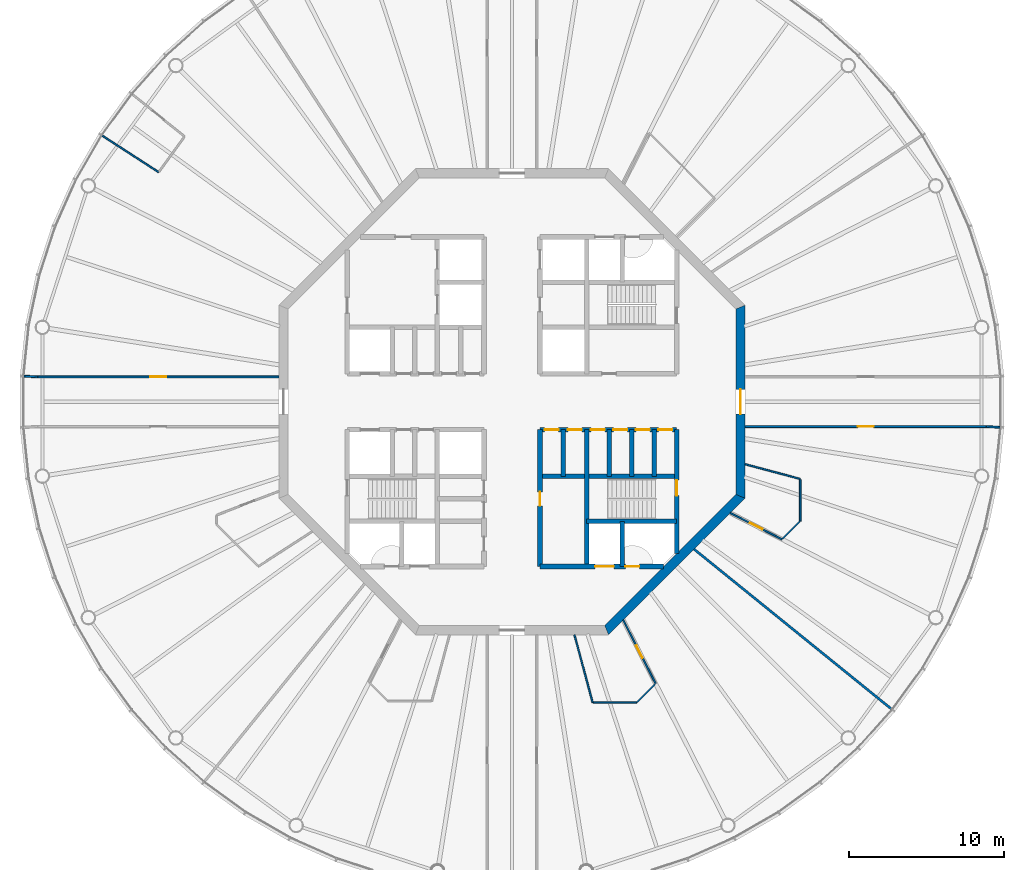
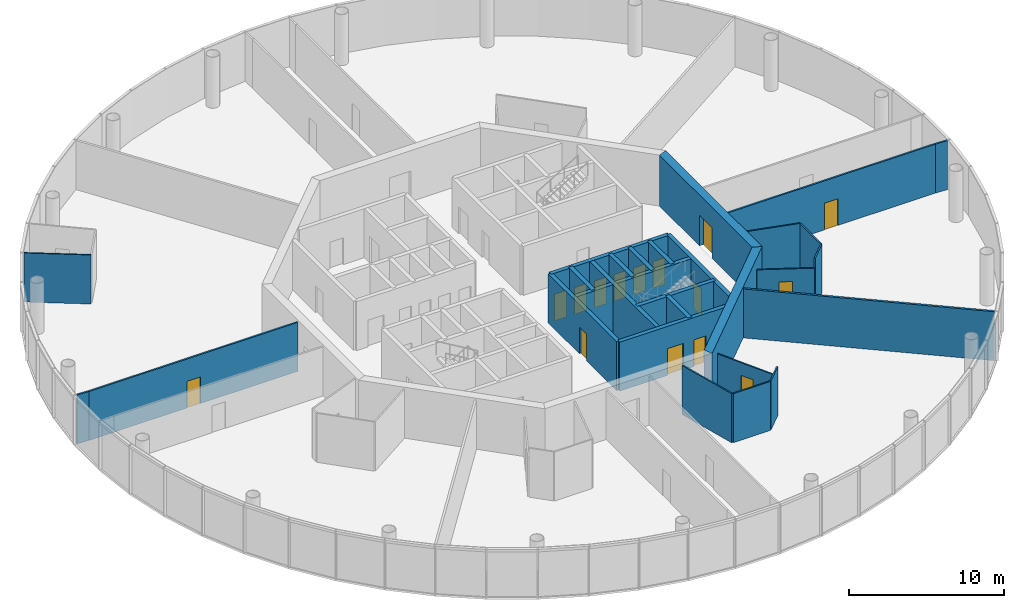
# One storey, part 4 of 13: 28 walls, 15 doors, 15 openings.
"""IFC4 building model written with IfcOpenShell, lengths in metres."""

from ifc_helpers import new_model, si_unit, direction, frame, frame_2d, origin, place, context, subcontext, project, spatial, polyline, rectangle, outline, extrude, material, layer, layer_set, type_object, element, fill, save


model = new_model("IFC4")

# Units and contexts
model_context = context("Model", 3, precision=1e-05, world=origin(), true_north=direction((0.0, 1.0)))
body_context = subcontext(model_context, "Body", "Model", "MODEL_VIEW")
ifc_project = project(units=[si_unit("LENGTHUNIT", "METRE"), si_unit("AREAUNIT", "SQUARE_METRE"), si_unit("VOLUMEUNIT", "CUBIC_METRE"), si_unit("PLANEANGLEUNIT", "RADIAN"), si_unit("MASSUNIT", "GRAM", prefix="KILO")], contexts=[model_context])

# Site, building, storey
site_placement = place(None, origin())
site = spatial("IfcSite", under=ifc_project, at=site_placement, CompositionType="ELEMENT")
building_placement = place(site_placement, origin())
building = spatial("IfcBuilding", under=site, at=building_placement, Name="Entoto Ring Tower", CompositionType="ELEMENT")
storey_placement = place(building_placement, frame((0.0, 0.0, 364.0)))
storey = spatial("IfcBuildingStorey", under=building, at=storey_placement, Name="L84", CompositionType="ELEMENT", Elevation=364.0)

# Wall, opening, door
ifc_material_1 = material(Name="Concrete C40/50", Category="concrete")
ifc_layer_1 = layer(ifc_material_1, 0.300048828125)
ifc_layer_set_1 = layer_set([ifc_layer_1], Name="Concrete C40/50")
wall_type_1 = type_object("IfcWallType", Name="Core enclosure wall 300 mm reinforced concrete", PredefinedType="SOLIDWALL", material=ifc_layer_set_1)
wall_1_placement = place(storey_placement, frame((100.60009765625, 70.2353515625, 0.0), z_axis=(0.0, 0.0, 1.0), x_axis=(0.0, 1.0, 0.0)))
wall_1 = element("IfcWall", 1, at=wall_1_placement, inside=storey, type_object=wall_type_1, Name="wall-L84-001", PredefinedType="SOLIDWALL", context=body_context, shape_type="SweptSolid", body=[
    extrude(rectangle(XDim=7.964599609375, YDim=0.300048828125, at=frame_2d((3.982421875, 0.0))), origin(), (0.0, 0.0, 1.0), 3.85009765625),
])
opening_1_placement = place(wall_1_placement, frame((3.714599609375, 0.0, 0.0)))
opening_1 = element("IfcOpeningElement", 2, at=opening_1_placement, cuts=wall_1, Name="Opening K-31", PredefinedType="OPENING", context=body_context, shape_type="SweptSolid", body=[
    extrude(rectangle(XDim=1.0, YDim=2.10009765625, at=frame_2d((0.5, 1.050048828125))), frame((0.0, 0.16015625, 0.0), z_axis=(0.0, -1.0, 0.0), x_axis=(1.0, 0.0, 0.0)), (0.0, 0.0, 1.0), 0.320068359375),
])
ifc_material_2 = material(Name="Steel door leaf, fire rated", Category="steel")
ifc_layer_2 = layer(ifc_material_2, 0.050048828125)
ifc_layer_set_2 = layer_set([ifc_layer_2], Name="Steel door leaf, fire rated")
door_type_1 = type_object("IfcDoorType", Name="Fire door FD60 1000 x 2100 single leaf", OperationType="NOTDEFINED", PredefinedType="DOOR", material=ifc_layer_set_2)
door_1_placement = place(opening_1_placement, origin())
door_1 = element("IfcDoor", 3, at=door_1_placement, inside=storey, type_object=door_type_1, Name="Door K-31", OperationType="SINGLE_SWING_RIGHT", OverallHeight=2.10009765625, OverallWidth=1.0, PredefinedType="DOOR", context=body_context, shape_type="SweptSolid", body=[
    extrude(rectangle(XDim=1.0, YDim=2.10009765625, at=frame_2d((0.5, 1.050048828125))), frame((0.0, 0.02490234375, 0.0), z_axis=(0.0, -1.0, 0.0), x_axis=(1.0, 0.0, 0.0)), (0.0, 0.0, 1.0), 0.050048828125),
])
fill(opening_1, door_1)

# Walls
for number, where, z_axis, x_axis, name in (
    (4, (99.14990234375, 75.199951171875, 0.0), (0.0, 0.0, 1.0), (0.0, 1.0, 0.0), "wall-L84-003"),
    (5, (97.699951171875, 75.199951171875, 0.0), (0.0, 0.0, 1.0), (0.0, 1.0, 0.0), "wall-L84-004"),
):
    element("IfcWall", number, at=place(storey_placement, frame(where, z_axis=z_axis, x_axis=x_axis)), inside=storey, type_object=wall_type_1, Name=name, PredefinedType="SOLIDWALL", context=body_context, shape_type="SweptSolid", body=[
        extrude(rectangle(XDim=3.0, YDim=0.300048828125, at=frame_2d((1.5, 0.0))), origin(), (0.0, 0.0, 1.0), 3.85009765625),
    ])
wall_2_placement = place(storey_placement, frame((97.10009765625, 69.39990234375, 0.0), z_axis=(0.0, 0.0, 1.0), x_axis=(0.0, 1.0, 0.0)))
element("IfcWall", 6, at=wall_2_placement, inside=storey, type_object=wall_type_1, Name="wall-L84-005", PredefinedType="SOLIDWALL", context=body_context, shape_type="SweptSolid", body=[
    extrude(rectangle(XDim=2.900146484375, YDim=0.300048828125, at=frame_2d((1.4501953125, 0.0))), origin(), (0.0, 0.0, 1.0), 3.85009765625),
])
wall_3_placement = place(storey_placement, frame((96.25, 75.199951171875, 0.0), z_axis=(0.0, 0.0, 1.0), x_axis=(0.0, 1.0, 0.0)))
element("IfcWall", 7, at=wall_3_placement, inside=storey, type_object=wall_type_1, Name="wall-L84-007", PredefinedType="SOLIDWALL", context=body_context, shape_type="SweptSolid", body=[
    extrude(rectangle(XDim=3.0, YDim=0.300048828125, at=frame_2d((1.5, 0.0))), origin(), (0.0, 0.0, 1.0), 3.85009765625),
])
wall_4_placement = place(storey_placement, frame((94.800048828125, 69.39990234375, 0.0), z_axis=(0.0, 0.0, 1.0), x_axis=(0.0, 1.0, 0.0)))
element("IfcWall", 8, at=wall_4_placement, inside=storey, type_object=wall_type_1, Name="wall-L84-008", PredefinedType="SOLIDWALL", context=body_context, shape_type="SweptSolid", body=[
    extrude(rectangle(XDim=8.800048828125, YDim=0.300048828125, at=frame_2d((4.39990234375, 0.0))), origin(), (0.0, 0.0, 1.0), 3.85009765625),
])
wall_5_placement = place(storey_placement, frame((93.300048828125, 75.199951171875, 0.0), z_axis=(0.0, 0.0, 1.0), x_axis=(0.0, 1.0, 0.0)))
element("IfcWall", 9, at=wall_5_placement, inside=storey, type_object=wall_type_1, Name="wall-L84-010", PredefinedType="SOLIDWALL", context=body_context, shape_type="SweptSolid", body=[
    extrude(rectangle(XDim=3.0, YDim=0.300048828125, at=frame_2d((1.5, 0.0))), origin(), (0.0, 0.0, 1.0), 3.85009765625),
])

# Wall, opening, door
wall_6_placement = place(storey_placement, frame((91.800048828125, 69.39990234375, 0.0), z_axis=(0.0, 0.0, 1.0), x_axis=(0.0, 1.0, 0.0)))
wall_6 = element("IfcWall", 10, at=wall_6_placement, inside=storey, type_object=wall_type_1, Name="wall-L84-011", PredefinedType="SOLIDWALL", context=body_context, shape_type="SweptSolid", body=[
    extrude(rectangle(XDim=8.800048828125, YDim=0.300048828125, at=frame_2d((4.39990234375, 0.0))), origin(), (0.0, 0.0, 1.0), 3.85009765625),
])
opening_2_placement = place(wall_6_placement, frame((3.89990234375, 0.0, 0.0)))
opening_2 = element("IfcOpeningElement", 11, at=opening_2_placement, cuts=wall_6, Name="Opening K-21", PredefinedType="OPENING", context=body_context, shape_type="SweptSolid", body=[
    extrude(rectangle(XDim=0.89990234375, YDim=2.10009765625, at=frame_2d((0.449951171875, 1.050048828125))), frame((0.0, 0.16015625, 0.0), z_axis=(0.0, -1.0, 0.0), x_axis=(1.0, 0.0, 0.0)), (0.0, 0.0, 1.0), 0.320068359375),
])
ifc_material_3 = material(Name="Steel door leaf, fire rated", Category="steel")
ifc_layer_3 = layer(ifc_material_3, 0.050048828125)
ifc_layer_set_3 = layer_set([ifc_layer_3], Name="Steel door leaf, fire rated")
door_type_2 = type_object("IfcDoorType", Name="Core door 900 x 2100 single leaf", OperationType="NOTDEFINED", PredefinedType="DOOR", material=ifc_layer_set_3)
door_2_placement = place(opening_2_placement, frame((0.89990234375, 0.0, 0.0), z_axis=(0.0, 0.0, 1.0), x_axis=(-1.0, 0.0, 0.0)))
door_2 = element("IfcDoor", 12, at=door_2_placement, inside=storey, type_object=door_type_2, Name="Door K-21", OperationType="SINGLE_SWING_LEFT", OverallHeight=2.10009765625, OverallWidth=0.89990234375, PredefinedType="DOOR", context=body_context, shape_type="SweptSolid", body=[
    extrude(rectangle(XDim=0.89990234375, YDim=2.10009765625, at=frame_2d((0.449951171875, 1.050048828125))), frame((0.0, 0.02490234375, 0.0), z_axis=(0.0, -1.0, 0.0), x_axis=(1.0, 0.0, 0.0)), (0.0, 0.0, 1.0), 0.050048828125),
])
fill(opening_2, door_2)

# Wall, openings, doors
wall_7_placement = place(storey_placement, frame((91.800048828125, 69.39990234375, 0.0), z_axis=(0.0, 0.0, 1.0), x_axis=(1.0, 0.0, 0.0)))
wall_7 = element("IfcWall", 13, at=wall_7_placement, inside=storey, type_object=wall_type_1, Name="wall-L84-026", PredefinedType="SOLIDWALL", context=body_context, shape_type="SweptSolid", body=[
    extrude(rectangle(XDim=7.964599609375, YDim=0.300048828125, at=frame_2d((3.982421875, 0.0))), origin(), (0.0, 0.0, 1.0), 3.85009765625),
])
opening_3_placement = place(wall_7_placement, frame((3.550048828125, 0.0, 0.0)))
opening_3 = element("IfcOpeningElement", 14, at=opening_3_placement, cuts=wall_7, Name="Opening LD", PredefinedType="OPENING", context=body_context, shape_type="SweptSolid", body=[
    extrude(rectangle(XDim=1.199951171875, YDim=2.10009765625, at=frame_2d((0.60009765625, 1.050048828125))), frame((0.0, 0.16015625, 0.0), z_axis=(0.0, -1.0, 0.0), x_axis=(1.0, 0.0, 0.0)), (0.0, 0.0, 1.0), 0.320068359375),
])
opening_4_placement = place(wall_7_placement, frame((5.5, 0.0, 0.0)))
opening_4 = element("IfcOpeningElement", 15, at=opening_4_placement, cuts=wall_7, Name="Opening K-34", PredefinedType="OPENING", context=body_context, shape_type="SweptSolid", body=[
    extrude(rectangle(XDim=0.89990234375, YDim=2.10009765625, at=frame_2d((0.449951171875, 1.050048828125))), frame((0.0, 0.16015625, 0.0), z_axis=(0.0, -1.0, 0.0), x_axis=(1.0, 0.0, 0.0)), (0.0, 0.0, 1.0), 0.320068359375),
])
ifc_material_4 = material(Name="Steel and glass door leaf", Category="steel")
ifc_layer_4 = layer(ifc_material_4, 0.050048828125)
ifc_layer_set_4 = layer_set([ifc_layer_4], Name="Steel and glass door leaf")
door_type_3 = type_object("IfcDoorType", Name="Landing door 1200 x 2100 sliding", OperationType="DOUBLE_DOOR_SLIDING", PredefinedType="DOOR", material=ifc_layer_set_4)
door_3_placement = place(opening_3_placement, origin())
door_3 = element("IfcDoor", 16, at=door_3_placement, inside=storey, type_object=door_type_3, Name="Landing door LB2-HR", OperationType="SLIDING_TO_RIGHT", OverallHeight=2.10009765625, OverallWidth=1.199951171875, PredefinedType="DOOR", context=body_context, shape_type="SweptSolid", body=[
    extrude(rectangle(XDim=1.199951171875, YDim=2.10009765625, at=frame_2d((0.60009765625, 1.050048828125))), frame((0.0, 0.02490234375, 0.0), z_axis=(0.0, -1.0, 0.0), x_axis=(1.0, 0.0, 0.0)), (0.0, 0.0, 1.0), 0.050048828125),
])
fill(opening_3, door_3)
ifc_material_5 = material(Name="Steel door leaf, fire rated", Category="steel")
ifc_layer_5 = layer(ifc_material_5, 0.050048828125)
ifc_layer_set_5 = layer_set([ifc_layer_5], Name="Steel door leaf, fire rated")
door_type_4 = type_object("IfcDoorType", Name="Riser door FD60 900 x 2100 single leaf", OperationType="NOTDEFINED", PredefinedType="DOOR", material=ifc_layer_set_5)
door_4_placement = place(opening_4_placement, origin())
door_4 = element("IfcDoor", 17, at=door_4_placement, inside=storey, type_object=door_type_4, Name="Door K-34", OperationType="SINGLE_SWING_LEFT", OverallHeight=2.10009765625, OverallWidth=0.89990234375, PredefinedType="DOOR", context=body_context, shape_type="SweptSolid", body=[
    extrude(rectangle(XDim=0.89990234375, YDim=2.10009765625, at=frame_2d((0.449951171875, 1.050048828125))), frame((0.0, 0.02490234375, 0.0), z_axis=(0.0, -1.0, 0.0), x_axis=(1.0, 0.0, 0.0)), (0.0, 0.0, 1.0), 0.050048828125),
])
fill(opening_4, door_4)

# Walls
wall_8_placement = place(storey_placement, frame((94.800048828125, 72.300048828125, 0.0), z_axis=(0.0, 0.0, 1.0), x_axis=(1.0, 0.0, 0.0)))
element("IfcWall", 18, at=wall_8_placement, inside=storey, type_object=wall_type_1, Name="wall-L84-028", PredefinedType="SOLIDWALL", context=body_context, shape_type="SweptSolid", body=[
    extrude(rectangle(XDim=5.800048828125, YDim=0.300048828125, at=frame_2d((2.89990234375, 0.0))), origin(), (0.0, 0.0, 1.0), 3.85009765625),
])
wall_9_placement = place(storey_placement, frame((91.800048828125, 75.199951171875, 0.0), z_axis=(0.0, 0.0, 1.0), x_axis=(1.0, 0.0, 0.0)))
element("IfcWall", 19, at=wall_9_placement, inside=storey, type_object=wall_type_1, Name="wall-L84-031", PredefinedType="SOLIDWALL", context=body_context, shape_type="SweptSolid", body=[
    extrude(rectangle(XDim=8.800048828125, YDim=0.300048828125, at=frame_2d((4.39990234375, 0.0))), origin(), (0.0, 0.0, 1.0), 3.85009765625),
])

# Wall, openings, doors
wall_10_placement = place(storey_placement, frame((91.800048828125, 78.199951171875, 0.0), z_axis=(0.0, 0.0, 1.0), x_axis=(1.0, 0.0, 0.0)))
wall_10 = element("IfcWall", 20, at=wall_10_placement, inside=storey, type_object=wall_type_1, Name="wall-L84-033", PredefinedType="SOLIDWALL", context=body_context, shape_type="SweptSolid", body=[
    extrude(rectangle(XDim=8.800048828125, YDim=0.300048828125, at=frame_2d((4.39990234375, 0.0))), origin(), (0.0, 0.0, 1.0), 3.85009765625),
])
opening_5_placement = place(wall_10_placement, frame((3.27490234375, 0.0, 0.0)))
opening_5 = element("IfcOpeningElement", 21, at=opening_5_placement, cuts=wall_10, Name="Opening K-14", PredefinedType="OPENING", context=body_context, shape_type="SweptSolid", body=[
    extrude(rectangle(XDim=0.89990234375, YDim=2.10009765625, at=frame_2d((0.449951171875, 1.050048828125))), frame((0.0, 0.16015625, 0.0), z_axis=(0.0, -1.0, 0.0), x_axis=(1.0, 0.0, 0.0)), (0.0, 0.0, 1.0), 0.320068359375),
])
opening_6_placement = place(wall_10_placement, frame((4.72509765625, 0.0, 0.0)))
opening_6 = element("IfcOpeningElement", 22, at=opening_6_placement, cuts=wall_10, Name="Opening K-15", PredefinedType="OPENING", context=body_context, shape_type="SweptSolid", body=[
    extrude(rectangle(XDim=0.89990234375, YDim=2.10009765625, at=frame_2d((0.449951171875, 1.050048828125))), frame((0.0, 0.16015625, 0.0), z_axis=(0.0, -1.0, 0.0), x_axis=(1.0, 0.0, 0.0)), (0.0, 0.0, 1.0), 0.320068359375),
])
opening_7_placement = place(wall_10_placement, frame((6.175048828125, 0.0, 0.0)))
opening_7 = element("IfcOpeningElement", 23, at=opening_7_placement, cuts=wall_10, Name="Opening K-16", PredefinedType="OPENING", context=body_context, shape_type="SweptSolid", body=[
    extrude(rectangle(XDim=0.89990234375, YDim=2.10009765625, at=frame_2d((0.449951171875, 1.050048828125))), frame((0.0, 0.16015625, 0.0), z_axis=(0.0, -1.0, 0.0), x_axis=(1.0, 0.0, 0.0)), (0.0, 0.0, 1.0), 0.320068359375),
])
opening_8_placement = place(wall_10_placement, frame((7.625, 0.0, 0.0)))
opening_8 = element("IfcOpeningElement", 24, at=opening_8_placement, cuts=wall_10, Name="Opening K-57", PredefinedType="OPENING", context=body_context, shape_type="SweptSolid", body=[
    extrude(rectangle(XDim=0.89990234375, YDim=2.10009765625, at=frame_2d((0.449951171875, 1.050048828125))), frame((0.0, 0.16015625, 0.0), z_axis=(0.0, -1.0, 0.0), x_axis=(1.0, 0.0, 0.0)), (0.0, 0.0, 1.0), 0.320068359375),
])
opening_9_placement = place(wall_10_placement, frame((0.300048828125, 0.0, 0.0)))
opening_9 = element("IfcOpeningElement", 25, at=opening_9_placement, cuts=wall_10, Name="Opening K-79", PredefinedType="OPENING", context=body_context, shape_type="SweptSolid", body=[
    extrude(rectangle(XDim=0.89990234375, YDim=2.10009765625, at=frame_2d((0.449951171875, 1.050048828125))), frame((0.0, 0.16015625, 0.0), z_axis=(0.0, -1.0, 0.0), x_axis=(1.0, 0.0, 0.0)), (0.0, 0.0, 1.0), 0.320068359375),
])
opening_10_placement = place(wall_10_placement, frame((1.800048828125, 0.0, 0.0)))
opening_10 = element("IfcOpeningElement", 26, at=opening_10_placement, cuts=wall_10, Name="Opening K-81", PredefinedType="OPENING", context=body_context, shape_type="SweptSolid", body=[
    extrude(rectangle(XDim=0.89990234375, YDim=2.10009765625, at=frame_2d((0.449951171875, 1.050048828125))), frame((0.0, 0.16015625, 0.0), z_axis=(0.0, -1.0, 0.0), x_axis=(1.0, 0.0, 0.0)), (0.0, 0.0, 1.0), 0.320068359375),
])
door_5_placement = place(opening_5_placement, frame((0.89990234375, 0.0, 0.0), z_axis=(0.0, 0.0, 1.0), x_axis=(-1.0, 0.0, 0.0)))
door_5 = element("IfcDoor", 27, at=door_5_placement, inside=storey, type_object=door_type_2, Name="Door K-14", OperationType="SINGLE_SWING_LEFT", OverallHeight=2.10009765625, OverallWidth=0.89990234375, PredefinedType="DOOR", context=body_context, shape_type="SweptSolid", body=[
    extrude(rectangle(XDim=0.89990234375, YDim=2.10009765625, at=frame_2d((0.449951171875, 1.050048828125))), frame((0.0, 0.02490234375, 0.0), z_axis=(0.0, -1.0, 0.0), x_axis=(1.0, 0.0, 0.0)), (0.0, 0.0, 1.0), 0.050048828125),
])
fill(opening_5, door_5)
door_6_placement = place(opening_6_placement, frame((0.89990234375, 0.0, 0.0), z_axis=(0.0, 0.0, 1.0), x_axis=(-1.0, 0.0, 0.0)))
door_6 = element("IfcDoor", 28, at=door_6_placement, inside=storey, type_object=door_type_2, Name="Door K-15", OperationType="SINGLE_SWING_RIGHT", OverallHeight=2.10009765625, OverallWidth=0.89990234375, PredefinedType="DOOR", context=body_context, shape_type="SweptSolid", body=[
    extrude(rectangle(XDim=0.89990234375, YDim=2.10009765625, at=frame_2d((0.449951171875, 1.050048828125))), frame((0.0, 0.02490234375, 0.0), z_axis=(0.0, -1.0, 0.0), x_axis=(1.0, 0.0, 0.0)), (0.0, 0.0, 1.0), 0.050048828125),
])
fill(opening_6, door_6)
door_7_placement = place(opening_7_placement, frame((0.89990234375, 0.0, 0.0), z_axis=(0.0, 0.0, 1.0), x_axis=(-1.0, 0.0, 0.0)))
door_7 = element("IfcDoor", 29, at=door_7_placement, inside=storey, type_object=door_type_2, Name="Door K-16", OperationType="SINGLE_SWING_RIGHT", OverallHeight=2.10009765625, OverallWidth=0.89990234375, PredefinedType="DOOR", context=body_context, shape_type="SweptSolid", body=[
    extrude(rectangle(XDim=0.89990234375, YDim=2.10009765625, at=frame_2d((0.449951171875, 1.050048828125))), frame((0.0, 0.02490234375, 0.0), z_axis=(0.0, -1.0, 0.0), x_axis=(1.0, 0.0, 0.0)), (0.0, 0.0, 1.0), 0.050048828125),
])
fill(opening_7, door_7)
door_8_placement = place(opening_8_placement, frame((0.89990234375, 0.0, 0.0), z_axis=(0.0, 0.0, 1.0), x_axis=(-1.0, 0.0, 0.0)))
door_8 = element("IfcDoor", 30, at=door_8_placement, inside=storey, type_object=door_type_2, Name="Door K-57", OperationType="SINGLE_SWING_RIGHT", OverallHeight=2.10009765625, OverallWidth=0.89990234375, PredefinedType="DOOR", context=body_context, shape_type="SweptSolid", body=[
    extrude(rectangle(XDim=0.89990234375, YDim=2.10009765625, at=frame_2d((0.449951171875, 1.050048828125))), frame((0.0, 0.02490234375, 0.0), z_axis=(0.0, -1.0, 0.0), x_axis=(1.0, 0.0, 0.0)), (0.0, 0.0, 1.0), 0.050048828125),
])
fill(opening_8, door_8)
door_9_placement = place(opening_9_placement, frame((0.89990234375, 0.0, 0.0), z_axis=(0.0, 0.0, 1.0), x_axis=(-1.0, 0.0, 0.0)))
door_9 = element("IfcDoor", 31, at=door_9_placement, inside=storey, type_object=door_type_2, Name="Door K-79", OperationType="SINGLE_SWING_RIGHT", OverallHeight=2.10009765625, OverallWidth=0.89990234375, PredefinedType="DOOR", context=body_context, shape_type="SweptSolid", body=[
    extrude(rectangle(XDim=0.89990234375, YDim=2.10009765625, at=frame_2d((0.449951171875, 1.050048828125))), frame((0.0, 0.02490234375, 0.0), z_axis=(0.0, -1.0, 0.0), x_axis=(1.0, 0.0, 0.0)), (0.0, 0.0, 1.0), 0.050048828125),
])
fill(opening_9, door_9)
door_10_placement = place(opening_10_placement, frame((0.89990234375, 0.0, 0.0), z_axis=(0.0, 0.0, 1.0), x_axis=(-1.0, 0.0, 0.0)))
door_10 = element("IfcDoor", 32, at=door_10_placement, inside=storey, type_object=door_type_2, Name="Door K-81", OperationType="SINGLE_SWING_RIGHT", OverallHeight=2.10009765625, OverallWidth=0.89990234375, PredefinedType="DOOR", context=body_context, shape_type="SweptSolid", body=[
    extrude(rectangle(XDim=0.89990234375, YDim=2.10009765625, at=frame_2d((0.449951171875, 1.050048828125))), frame((0.0, 0.02490234375, 0.0), z_axis=(0.0, -1.0, 0.0), x_axis=(1.0, 0.0, 0.0)), (0.0, 0.0, 1.0), 0.050048828125),
])
fill(opening_10, door_10)

# Wall, opening, door
ifc_material_6 = material(Name="Concrete C40/50", Category="concrete")
ifc_layer_6 = layer(ifc_material_6, 0.60009765625)
ifc_layer_set_6 = layer_set([ifc_layer_6], Name="Concrete C40/50")
wall_type_2 = type_object("IfcWallType", Name="Core shear wall 600 mm reinforced concrete C40/50", PredefinedType="SHEAR", material=ifc_layer_set_6)
wall_11_placement = place(storey_placement, frame((104.699951171875, 73.9111328125, 0.0), z_axis=(0.0, 0.0, 1.0), x_axis=(0.0, 1.0, 0.0)))
wall_11 = element("IfcWall", 33, at=wall_11_placement, inside=storey, type_object=wall_type_2, Name="wall-L84-core-0", PredefinedType="SHEAR", context=body_context, shape_type="SweptSolid", body=[
    extrude(outline(polyline([(-0.124267578125, -0.300048828125), (12.302001953125, -0.300048828125), (12.053466796875, 0.300048828125), (0.124267578125, 0.300048828125), (-0.124267578125, -0.300048828125)])), origin(), (0.0, 0.0, 1.0), 4.0),
])
opening_11_placement = place(wall_11_placement, frame((5.288818359375, 0.0, 0.0)))
opening_11 = element("IfcOpeningElement", 34, at=opening_11_placement, cuts=wall_11, Name="Opening K-01", PredefinedType="OPENING", context=body_context, shape_type="SweptSolid", body=[
    extrude(rectangle(XDim=1.60009765625, YDim=2.39990234375, at=frame_2d((0.800048828125, 1.199951171875))), frame((0.0, 0.31005859375, 0.0), z_axis=(0.0, -1.0, 0.0), x_axis=(1.0, 0.0, 0.0)), (0.0, 0.0, 1.0), 0.6201171875),
])
ifc_material_7 = material(Name="Steel door leaf, fire rated", Category="steel")
ifc_layer_7 = layer(ifc_material_7, 0.050048828125)
ifc_layer_set_7 = layer_set([ifc_layer_7], Name="Steel door leaf, fire rated")
door_type_5 = type_object("IfcDoorType", Name="Entrance door FD60 1600 x 2400 double leaf", OperationType="DOUBLE_DOOR_SINGLE_SWING", PredefinedType="DOOR", material=ifc_layer_set_7)
door_11_placement = place(opening_11_placement, origin())
door_11 = element("IfcDoor", 35, at=door_11_placement, inside=storey, type_object=door_type_5, Name="Entrance door K-01", OperationType="DOUBLE_DOOR_SINGLE_SWING", OverallHeight=2.39990234375, OverallWidth=1.60009765625, PredefinedType="DOOR", context=body_context, shape_type="SweptSolid", body=[
    extrude(rectangle(XDim=1.60009765625, YDim=2.39990234375, at=frame_2d((0.800048828125, 1.199951171875))), frame((0.0, 0.02490234375, 0.0), z_axis=(0.0, -1.0, 0.0), x_axis=(1.0, 0.0, 0.0)), (0.0, 0.0, 1.0), 0.050048828125),
])
fill(opening_11, door_11)

# Wall
wall_12_placement = place(storey_placement, frame((96.0888671875, 65.300048828125, 0.0), z_axis=(0.0, 0.0, 1.0), x_axis=(0.707106781187, 0.707106781187, 0.0)))
element("IfcWall", 36, at=wall_12_placement, inside=storey, type_object=wall_type_2, Name="wall-L84-core-7", PredefinedType="SHEAR", context=body_context, shape_type="SweptSolid", body=[
    extrude(outline(polyline([(-0.124267578125, -0.300048828125), (12.30224609375, -0.300048828125), (12.0537109375, 0.300048828125), (0.124267578125, 0.300048828125), (-0.124267578125, -0.300048828125)])), origin(), (0.0, 0.0, 1.0), 4.0),
])

# Wall, opening, door
ifc_material_8 = material(Name="Fire-resisting plasterboard on steel studs", Category="steel")
ifc_layer_8 = layer(ifc_material_8, 0.125)
ifc_layer_set_8 = layer_set([ifc_layer_8], Name="Fire-resisting plasterboard on steel studs")
wall_type_3 = type_object("IfcWallType", Name="Corridor wall 125 mm one-hour plasterboard on steel studs", PredefinedType="PARTITIONING", material=ifc_layer_set_8)
wall_13_placement = place(storey_placement, frame((59.47021484375, 81.60009765625, 0.0), z_axis=(0.0, 0.0, 1.0), x_axis=(1.0, 0.0, 0.0)))
wall_13 = element("IfcWall", 37, at=wall_13_placement, inside=storey, type_object=wall_type_3, Name="partition-L84-002", PredefinedType="PARTITIONING", context=body_context, shape_type="SweptSolid", body=[
    extrude(rectangle(XDim=15.52978515625, YDim=0.125, at=frame_2d((7.764892578125, 0.0))), origin(), (0.0, 0.0, 1.0), 3.85009765625),
])
opening_12_placement = place(wall_13_placement, frame((7.264892578125, 0.0, 0.0)))
opening_12 = element("IfcOpeningElement", 38, at=opening_12_placement, cuts=wall_13, Name="Opening A36-D05", PredefinedType="OPENING", context=body_context, shape_type="SweptSolid", body=[
    extrude(rectangle(XDim=1.0, YDim=2.10009765625, at=frame_2d((0.5, 1.050048828125))), frame((0.0, 0.072509765625, 0.0), z_axis=(0.0, -1.0, 0.0), x_axis=(1.0, 0.0, 0.0)), (0.0, 0.0, 1.0), 0.14501953125),
])
ifc_material_9 = material(Name="Fire-resisting timber door set", Category="wood")
door_type_6 = type_object("IfcDoorType", Name="Door 1000 x 2100 single leaf FD30S fire door", OperationType="NOTDEFINED", PredefinedType="DOOR", material=ifc_material_9)
door_12_placement = place(opening_12_placement, origin())
door_12 = element("IfcDoor", 39, at=door_12_placement, inside=storey, type_object=door_type_6, Name="Door A36-D05", OperationType="SINGLE_SWING_RIGHT", OverallHeight=2.10009765625, OverallWidth=1.0, PredefinedType="DOOR", context=body_context, shape_type="SweptSolid", body=[
    extrude(rectangle(XDim=1.0, YDim=2.10009765625, at=frame_2d((0.5, 1.050048828125))), frame((0.0, 0.02490234375, 0.0), z_axis=(0.0, -1.0, 0.0), x_axis=(1.0, 0.0, 0.0)), (0.0, 0.0, 1.0), 0.050048828125),
])
fill(opening_12, door_12)

wall_14_placement = place(storey_placement, frame((105.0, 78.39990234375, 0.0), z_axis=(0.0, 0.0, 1.0), x_axis=(1.0, 0.0, 0.0)))
wall_14 = element("IfcWall", 40, at=wall_14_placement, inside=storey, type_object=wall_type_3, Name="partition-L84-007", PredefinedType="PARTITIONING", context=body_context, shape_type="SweptSolid", body=[
    extrude(rectangle(XDim=15.52978515625, YDim=0.125, at=frame_2d((7.764892578125, 0.0))), origin(), (0.0, 0.0, 1.0), 3.85009765625),
])
opening_13_placement = place(wall_14_placement, frame((7.264892578125, 0.0, 0.0)))
opening_13 = element("IfcOpeningElement", 41, at=opening_13_placement, cuts=wall_14, Name="Opening A36-D13", PredefinedType="OPENING", context=body_context, shape_type="SweptSolid", body=[
    extrude(rectangle(XDim=1.0, YDim=2.10009765625, at=frame_2d((0.5, 1.050048828125))), frame((0.0, 0.072509765625, 0.0), z_axis=(0.0, -1.0, 0.0), x_axis=(1.0, 0.0, 0.0)), (0.0, 0.0, 1.0), 0.14501953125),
])
door_13_placement = place(opening_13_placement, frame((1.0, 0.0, 0.0), z_axis=(0.0, 0.0, 1.0), x_axis=(-1.0, 0.0, 0.0)))
door_13 = element("IfcDoor", 42, at=door_13_placement, inside=storey, type_object=door_type_6, Name="Door A36-D13", OperationType="SINGLE_SWING_RIGHT", OverallHeight=2.10009765625, OverallWidth=1.0, PredefinedType="DOOR", context=body_context, shape_type="SweptSolid", body=[
    extrude(rectangle(XDim=1.0, YDim=2.10009765625, at=frame_2d((0.5, 1.050048828125))), frame((0.0, 0.02490234375, 0.0), z_axis=(0.0, -1.0, 0.0), x_axis=(1.0, 0.0, 0.0)), (0.0, 0.0, 1.0), 0.050048828125),
])
fill(opening_13, door_13)

# Walls
for number, where, z_axis, x_axis, name in (
    (43, (59.466796875, 81.60009765625, 0.0), (0.0, 0.0, 1.0), (-0.998620946423, 0.052499574911, 0.0), "partition-L84-010"),
    (44, (121.39697265625, 78.3544921875, 0.0), (0.0, 0.0, 1.0), (-0.998620946423, 0.052499574911, 0.0), "partition-L84-016"),
):
    element("IfcWall", number, at=place(storey_placement, frame(where, z_axis=z_axis, x_axis=x_axis)), inside=storey, type_object=wall_type_3, Name=name, PredefinedType="PARTITIONING", context=body_context, shape_type="SweptSolid", body=[
        extrude(rectangle(XDim=0.864990234375, YDim=0.125, at=frame_2d((0.4326171875, 0.0))), origin(), (0.0, 0.0, 1.0), 3.85009765625),
    ])
ifc_material_10 = material(Name="Plasterboard on steel studs", Category="steel")
ifc_layer_9 = layer(ifc_material_10, 0.10009765625)
ifc_layer_set_9 = layer_set([ifc_layer_9], Name="Plasterboard on steel studs")
wall_type_4 = type_object("IfcWallType", Name="Partition 100 mm plasterboard on steel studs", PredefinedType="PARTITIONING", material=ifc_layer_set_9)
wall_15_placement = place(storey_placement, frame((95.1875, 60.639892578125, 0.0), z_axis=(0.0, 0.0, 1.0), x_axis=(-0.25880367254, 0.965929945224, 0.0)))
element("IfcWall", 45, at=wall_15_placement, inside=storey, type_object=wall_type_4, Name="partition-L84-023", PredefinedType="PARTITIONING", context=body_context, shape_type="SweptSolid", body=[
    extrude(rectangle(XDim=4.513916015625, YDim=0.10009765625, at=frame_2d((2.2568359375, 0.0))), origin(), (0.0, 0.0, 1.0), 3.85009765625),
])
wall_16_placement = place(storey_placement, frame((67.25537109375, 94.7705078125, 0.0), z_axis=(0.0, 0.0, 1.0), x_axis=(-0.838666904921, 0.544644675536, 0.0)))
element("IfcWall", 46, at=wall_16_placement, inside=storey, type_object=wall_type_4, Name="partition-L84-027", PredefinedType="PARTITIONING", context=body_context, shape_type="SweptSolid", body=[
    extrude(rectangle(XDim=4.3203125, YDim=0.10009765625, at=frame_2d((2.16015625, 0.0))), origin(), (0.0, 0.0, 1.0), 3.85009765625),
])
wall_17_placement = place(storey_placement, frame((108.550048828125, 75.029541015625, 0.0), z_axis=(0.0, 0.0, 1.0), x_axis=(-0.96592996475, 0.258803599661, 0.0)))
element("IfcWall", 47, at=wall_17_placement, inside=storey, type_object=wall_type_4, Name="partition-L84-032", PredefinedType="PARTITIONING", context=body_context, shape_type="SweptSolid", body=[
    extrude(rectangle(XDim=3.67529296875, YDim=0.10009765625, at=frame_2d((1.837646484375, 0.0))), origin(), (0.0, 0.0, 1.0), 3.85009765625),
])
wall_18_placement = place(storey_placement, frame((95.235595703125, 60.639892578125, 0.0), z_axis=(0.0, 0.0, 1.0), x_axis=(1.0, 0.0, 0.0)))
element("IfcWall", 48, at=wall_18_placement, inside=storey, type_object=wall_type_4, Name="partition-L84-036", PredefinedType="PARTITIONING", context=body_context, shape_type="SweptSolid", body=[
    extrude(rectangle(XDim=2.78369140625, YDim=0.10009765625, at=frame_2d((1.391845703125, 0.0))), origin(), (0.0, 0.0, 1.0), 3.85009765625),
])
wall_19_placement = place(storey_placement, frame((108.550048828125, 72.31640625, 0.0), z_axis=(0.0, 0.0, 1.0), x_axis=(0.0, 1.0, 0.0)))
element("IfcWall", 49, at=wall_19_placement, inside=storey, type_object=wall_type_4, Name="partition-L84-038", PredefinedType="PARTITIONING", context=body_context, shape_type="SweptSolid", body=[
    extrude(rectangle(XDim=2.6650390625, YDim=0.10009765625, at=frame_2d((1.33251953125, 0.0))), origin(), (0.0, 0.0, 1.0), 3.85009765625),
])
wall_20_placement = place(storey_placement, frame((98.0439453125, 60.664794921875, 0.0), z_axis=(0.0, 0.0, 1.0), x_axis=(0.707106781187, 0.707106781187, 0.0)))
element("IfcWall", 50, at=wall_20_placement, inside=storey, type_object=wall_type_4, Name="partition-L84-039", PredefinedType="PARTITIONING", context=body_context, shape_type="SweptSolid", body=[
    extrude(rectangle(XDim=1.646240234375, YDim=0.10009765625, at=frame_2d((0.8232421875, 0.0))), origin(), (0.0, 0.0, 1.0), 3.85009765625),
])
wall_21_placement = place(storey_placement, frame((107.412353515625, 71.1787109375, 0.0), z_axis=(0.0, 0.0, 1.0), x_axis=(0.707106781187, 0.707106781187, 0.0)))
element("IfcWall", 51, at=wall_21_placement, inside=storey, type_object=wall_type_4, Name="partition-L84-041", PredefinedType="PARTITIONING", context=body_context, shape_type="SweptSolid", body=[
    extrude(rectangle(XDim=1.57373046875, YDim=0.10009765625, at=frame_2d((0.786865234375, 0.0))), origin(), (0.0, 0.0, 1.0), 3.85009765625),
])

# Wall, opening, door
ifc_material_11 = material(Name="Plasterboard on steel studs", Category="steel")
ifc_layer_10 = layer(ifc_material_11, 0.10009765625)
ifc_layer_set_10 = layer_set([ifc_layer_10], Name="Plasterboard on steel studs")
wall_type_5 = type_object("IfcWallType", Name="Partition 100 mm plasterboard on steel studs, 3097 mm high", PredefinedType="PARTITIONING", material=ifc_layer_set_10)
wall_22_placement = place(storey_placement, frame((99.24169921875, 61.8623046875, 0.0), z_axis=(0.0, 0.0, 1.0), x_axis=(-0.453995983441, 0.891003730082, 0.0)))
wall_22 = element("IfcWall", 52, at=wall_22_placement, inside=storey, type_object=wall_type_5, Name="partition-L84-022", PredefinedType="PARTITIONING", context=body_context, shape_type="SweptSolid", body=[
    extrude(rectangle(XDim=4.58447265625, YDim=0.10009765625, at=frame_2d((2.292236328125, 0.0))), origin(), (0.0, 0.0, 1.0), 3.096923828125),
])
opening_14_placement = place(wall_22_placement, frame((1.84228515625, 0.0, 0.0)))
opening_14 = element("IfcOpeningElement", 53, at=opening_14_placement, cuts=wall_22, Name="Opening A36-D12", PredefinedType="OPENING", context=body_context, shape_type="SweptSolid", body=[
    extrude(rectangle(XDim=0.89990234375, YDim=2.10009765625, at=frame_2d((0.449951171875, 1.050048828125))), frame((0.0, 0.06005859375, 0.0), z_axis=(0.0, -1.0, 0.0), x_axis=(1.0, 0.0, 0.0)), (0.0, 0.0, 1.0), 0.1201171875),
])
ifc_material_12 = material(Name="Veneered timber door leaf in timber frame", Category="wood")
door_type_7 = type_object("IfcDoorType", Name="Door 900 x 2100 single leaf timber veneer", OperationType="NOTDEFINED", PredefinedType="DOOR", material=ifc_material_12)
door_14_placement = place(opening_14_placement, origin())
door_14 = element("IfcDoor", 54, at=door_14_placement, inside=storey, type_object=door_type_7, Name="Door A36-D12", OperationType="SINGLE_SWING_RIGHT", OverallHeight=2.10009765625, OverallWidth=0.89990234375, PredefinedType="DOOR", context=body_context, shape_type="SweptSolid", body=[
    extrude(rectangle(XDim=0.89990234375, YDim=2.10009765625, at=frame_2d((0.449951171875, 1.050048828125))), frame((0.0, 0.02490234375, 0.0), z_axis=(0.0, -1.0, 0.0), x_axis=(1.0, 0.0, 0.0)), (0.0, 0.0, 1.0), 0.050048828125),
])
fill(opening_14, door_14)

wall_23_placement = place(storey_placement, frame((107.378662109375, 71.14501953125, 0.0), z_axis=(0.0, 0.0, 1.0), x_axis=(-0.891000059583, 0.454003187019, 0.0)))
wall_23 = element("IfcWall", 55, at=wall_23_placement, inside=storey, type_object=wall_type_5, Name="partition-L84-031", PredefinedType="PARTITIONING", context=body_context, shape_type="SweptSolid", body=[
    extrude(rectangle(XDim=3.732421875, YDim=0.10009765625, at=frame_2d((1.8662109375, 0.0))), origin(), (0.0, 0.0, 1.0), 3.096923828125),
])
opening_15_placement = place(wall_23_placement, frame((1.416259765625, 0.0, 0.0)))
opening_15 = element("IfcOpeningElement", 56, at=opening_15_placement, cuts=wall_23, Name="Opening A36-D14", PredefinedType="OPENING", context=body_context, shape_type="SweptSolid", body=[
    extrude(rectangle(XDim=0.89990234375, YDim=2.10009765625, at=frame_2d((0.449951171875, 1.050048828125))), frame((0.0, 0.06005859375, 0.0), z_axis=(0.0, -1.0, 0.0), x_axis=(1.0, 0.0, 0.0)), (0.0, 0.0, 1.0), 0.1201171875),
])
door_15_placement = place(opening_15_placement, frame((0.89990234375, 0.0, 0.0), z_axis=(0.0, 0.0, 1.0), x_axis=(-1.0, 0.0, 0.0)))
door_15 = element("IfcDoor", 57, at=door_15_placement, inside=storey, type_object=door_type_7, Name="Door A36-D14", OperationType="SINGLE_SWING_LEFT", OverallHeight=2.10009765625, OverallWidth=0.89990234375, PredefinedType="DOOR", context=body_context, shape_type="SweptSolid", body=[
    extrude(rectangle(XDim=0.89990234375, YDim=2.10009765625, at=frame_2d((0.449951171875, 1.050048828125))), frame((0.0, 0.02490234375, 0.0), z_axis=(0.0, -1.0, 0.0), x_axis=(1.0, 0.0, 0.0)), (0.0, 0.0, 1.0), 0.050048828125),
])
fill(opening_15, door_15)

# Wall
ifc_material_13 = material(Name="Fire-resisting acoustic plasterboard on steel studs", Category="steel")
ifc_layer_11 = layer(ifc_material_13, 0.14990234375)
ifc_layer_set_11 = layer_set([ifc_layer_11], Name="Fire-resisting acoustic plasterboard on steel studs")
wall_type_6 = type_object("IfcWallType", Name="Party wall 150 mm one-hour acoustic plasterboard on steel studs", PredefinedType="PARTITIONING", material=ifc_layer_set_11)
wall_24_placement = place(storey_placement, frame((114.43359375, 60.214111328125, 0.0), z_axis=(0.0, 0.0, 1.0), x_axis=(-0.777143368827, 0.629323592667, 0.0)))
element("IfcWall", 58, at=wall_24_placement, inside=storey, type_object=wall_type_6, Name="partition-L84-018", PredefinedType="PARTITIONING", context=body_context, shape_type="SweptSolid", body=[
    extrude(rectangle(XDim=16.357666015625, YDim=0.14990234375, at=frame_2d((8.1787109375, 0.0))), origin(), (0.0, 0.0, 1.0), 3.85009765625),
])

save(model, "model.ifc")
